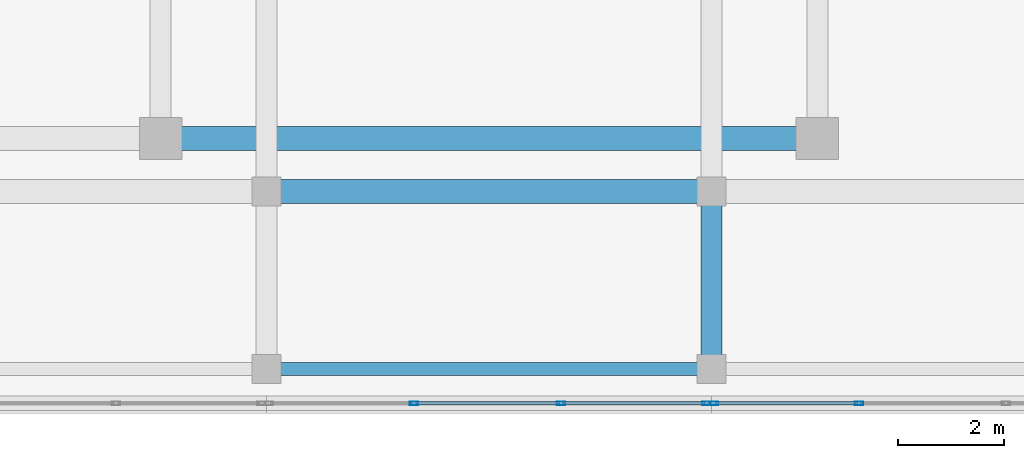
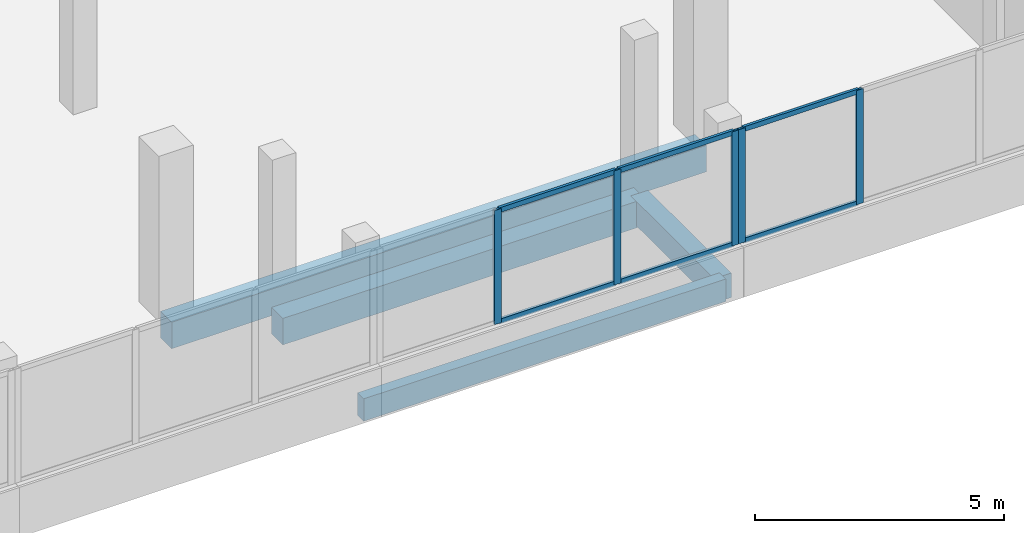
# One storey, part 20 of 67: 11 members, 4 beams, 2 elements without a shape of their own.
"""IFC4 building model written with IfcOpenShell, lengths in metres."""

import ifcopenshell
import ifcopenshell.guid

model = None  # the IFC model being written
_history = None  # IfcOwnerHistory: only IFC2X3 demands one
_inside = {}  # id of a spatial element -> (the spatial element, [elements in it])
_under = {}  # id of a project, library or spatial element -> (it, [spatial elements below it])
_declared = {}  # id of a project -> (the project, [libraries it declares])
_typed = {}  # id of a type object -> (the type object, [elements of that type])
_made_of = {}  # id of a material, layer set ... -> (it, [elements and type objects made of it])


def new_model(schema):
    """Start an empty IFC model of exactly this schema.

    Asked for "IFC4X3", IfcOpenShell would pick the latest addendum, in which some entities
    have other attributes; the version numbers below select the first issue.
    IFC2X3 requires an IfcOwnerHistory on every rooted entity: one is made here for all.
    """
    global model, _history
    if schema == "IFC4X3":
        model = ifcopenshell.file(schema_version=(4, 3, 0, 0))
    else:
        model = ifcopenshell.file(schema=schema)
    _inside.clear()
    _under.clear()
    _declared.clear()
    _typed.clear()
    _made_of.clear()
    _history = None
    if model.schema == "IFC2X3":
        org = make("IfcOrganization", Name="unknown")
        user = make(
            "IfcPersonAndOrganization",
            ThePerson=make("IfcPerson", FamilyName="unknown"),
            TheOrganization=org,
        )
        app = make(
            "IfcApplication",
            ApplicationDeveloper=org,
            Version="unknown",
            ApplicationFullName="unknown",
            ApplicationIdentifier="unknown",
        )
        _history = make(
            "IfcOwnerHistory",
            OwningUser=user,
            OwningApplication=app,
            ChangeAction="ADDED",
            CreationDate=0,
        )
    return model


def make(cls, **values):
    """One entity of the class cls with the attributes given. An attribute that is None is left unset."""
    return model.create_entity(
        cls, **{name: value for name, value in values.items() if value is not None}
    )


def rooted(cls, **values):
    """An entity with a GlobalId (a new one), such as an element, a storey or a relation."""
    return make(cls, GlobalId=ifcopenshell.guid.new(), OwnerHistory=_history, **values)


def si_unit(unit_type, name, prefix=None):
    """IfcSIUnit, for example si_unit("LENGTHUNIT", "METRE", prefix="MILLI")."""
    return make("IfcSIUnit", UnitType=unit_type, Prefix=prefix, Name=name)


def assignment(units):
    """IfcUnitAssignment: the units of a project."""
    return None if units is None else make("IfcUnitAssignment", Units=units)


def point(xyz):
    """IfcCartesianPoint."""
    return None if xyz is None else make("IfcCartesianPoint", Coordinates=xyz)


def direction(xyz):
    """IfcDirection."""
    return None if xyz is None else make("IfcDirection", DirectionRatios=xyz)


def frame(location, z_axis=None, x_axis=None):
    """IfcAxis2Placement3D, a coordinate frame: its origin and axes. An axis left out is left unset."""
    return make(
        "IfcAxis2Placement3D",
        Location=point(location),
        Axis=direction(z_axis),
        RefDirection=direction(x_axis),
    )


def frame_2d(location, x_axis=None):
    """IfcAxis2Placement2D, a coordinate frame in the plane: its origin and x axis."""
    return make(
        "IfcAxis2Placement2D", Location=point(location), RefDirection=direction(x_axis)
    )


def origin():
    """The frame at (0, 0, 0) with its axes left unset."""
    return frame((0.0, 0.0, 0.0))


def origin_2d():
    """The frame at (0, 0) in the plane with its x axis left unset."""
    return frame_2d((0.0, 0.0))


def place(relative_to, where):
    """IfcLocalPlacement: puts the frame where relative to a parent placement (None: the world)."""
    return make(
        "IfcLocalPlacement", PlacementRelTo=relative_to, RelativePlacement=where
    )


def context(
    kind, dimensions, precision=None, world=None, true_north=None, identifier=None
):
    """IfcGeometricRepresentationContext, for example the 3D "Model" context."""
    return make(
        "IfcGeometricRepresentationContext",
        ContextIdentifier=identifier,
        ContextType=kind,
        CoordinateSpaceDimension=dimensions,
        Precision=precision,
        WorldCoordinateSystem=world,
        TrueNorth=true_north,
    )


def subcontext(parent, identifier, kind, view, scale=None):
    """IfcGeometricRepresentationSubContext, for example "Body" below "Model"."""
    return make(
        "IfcGeometricRepresentationSubContext",
        ContextIdentifier=identifier,
        ContextType=kind,
        ParentContext=parent,
        TargetScale=scale,
        TargetView=view,
    )


def project(units=None, contexts=None):
    """IfcProject with its units and contexts."""
    return rooted(
        "IfcProject",
        Name="project",
        RepresentationContexts=contexts,
        UnitsInContext=assignment(units),
    )


def spatial(cls, under=None, at=None, **own):
    """A site, building, storey or space (cls), placed at a placement, below another one or the project."""
    s = rooted(cls, ObjectPlacement=at, **own)
    if under is not None:
        _under.setdefault(under.id(), (under, []))[1].append(s)
    return s


def profile(cls, at=None, kind="AREA", **sizes):
    """A parametric profile (cls). Its sizes go by their IFC names, for example OverallWidth=200.0."""
    return make(cls, ProfileType=kind, Position=at, **sizes)


def rectangle(**sizes):
    """IfcRectangleProfileDef."""
    return profile("IfcRectangleProfileDef", **sizes)


def hollow_rectangle(**sizes):
    """IfcRectangleHollowProfileDef."""
    return profile("IfcRectangleHollowProfileDef", **sizes)


def extrude(swept, where, along, depth):
    """IfcExtrudedAreaSolid: the profile swept, set in the frame where, extruded along a direction by depth."""
    return make(
        "IfcExtrudedAreaSolid",
        SweptArea=swept,
        Position=where,
        ExtrudedDirection=direction(along),
        Depth=depth,
    )


def shape(context_of_items, identifier, shape_type, items):
    """IfcShapeRepresentation: the items that make up one representation, for example the "Body"."""
    return make(
        "IfcShapeRepresentation",
        ContextOfItems=context_of_items,
        RepresentationIdentifier=identifier,
        RepresentationType=shape_type,
        Items=items,
    )


def material(Name=None, Category=None):
    """IfcMaterial."""
    return make("IfcMaterial", Name=Name, Category=Category)


def material_profile(
    of_material, cross_section, Name=None, Category=None, Priority=None
):
    """IfcMaterialProfile: a cross section and its material."""
    return make(
        "IfcMaterialProfile",
        Name=Name,
        Material=of_material,
        Profile=cross_section,
        Priority=Priority,
        Category=Category,
    )


def profile_set(profiles, Name=None, composite=None):
    """IfcMaterialProfileSet."""
    return make(
        "IfcMaterialProfileSet",
        Name=Name,
        MaterialProfiles=profiles,
        CompositeProfile=composite,
    )


def made_of(thing, what):
    """Note that an element or type object is made of a material, layer set ...; save() writes the relation."""
    if what is not None:
        _made_of.setdefault(what.id(), (what, []))[1].append(thing)
    return thing


def type_object(cls, material=None, **own):
    """A type object (cls), such as IfcWallType, which elements share."""
    return made_of(rooted(cls, **own), material)


def element(
    cls,
    number,
    at=None,
    inside=None,
    cuts=None,
    type_object=None,
    material=None,
    context=None,
    identifier="Body",
    shape_type=None,
    held_by="IfcProductDefinitionShape",
    body=None,
    shapes=None,
    **own,
):
    """One element of the class cls, such as IfcWall. Its Tag is "e" and its number.

    at: its placement. inside: the storey or other place that contains it. cuts: it is an
    opening in that element (IfcRelVoidsElement). A single representation is given by context,
    identifier, shape_type and body (its items); several are given by shapes. held_by: the class
    of the entity that holds the representations. save() writes the other relations.
    """
    e = rooted(cls, Tag="e%d" % number, ObjectPlacement=at, **own)
    if body is not None:
        shapes = [shape(context, identifier, shape_type, body)]
    if shapes is not None:
        e.Representation = make(held_by, Representations=shapes)
    if inside is not None:
        _inside.setdefault(inside.id(), (inside, []))[1].append(e)
    if cuts is not None:
        rooted(
            "IfcRelVoidsElement", RelatingBuildingElement=cuts, RelatedOpeningElement=e
        )
    if type_object is not None:
        _typed.setdefault(type_object.id(), (type_object, []))[1].append(e)
    return made_of(e, material)


def aggregate(whole, parts):
    """IfcRelAggregates: a whole, such as a stair, and the parts it consists of."""
    return rooted("IfcRelAggregates", RelatingObject=whole, RelatedObjects=parts)


def save(model, path):
    """Write the relations noted so far, then the file.

    IfcRelAggregates (storeys below a building ...), IfcRelContainedInSpatialStructure (elements
    in a storey), IfcRelDefinesByType, IfcRelAssociatesMaterial and IfcRelDeclares: one each for
    every whole, place, type object, material and project.
    """
    for whole, parts in _under.values():
        aggregate(whole, parts)
    for where, things in _inside.values():
        rooted(
            "IfcRelContainedInSpatialStructure",
            RelatedElements=things,
            RelatingStructure=where,
        )
    for kind, things in _typed.values():
        rooted("IfcRelDefinesByType", RelatedObjects=things, RelatingType=kind)
    for what, things in _made_of.values():
        rooted("IfcRelAssociatesMaterial", RelatedObjects=things, RelatingMaterial=what)
    for by, libraries in _declared.values():
        rooted("IfcRelDeclares", RelatingContext=by, RelatedDefinitions=libraries)
    model.write(path)


model = new_model("IFC4")

# Units and contexts
model_context = context("Model", 3, precision=1e-05, world=origin(), true_north=direction((0.0, 1.0)))
body_context = subcontext(model_context, "Body", "Model", "MODEL_VIEW")
ifc_project = project(units=[si_unit("LENGTHUNIT", "METRE"), si_unit("AREAUNIT", "SQUARE_METRE"), si_unit("VOLUMEUNIT", "CUBIC_METRE"), si_unit("PLANEANGLEUNIT", "RADIAN"), si_unit("MASSUNIT", "GRAM", prefix="KILO")], contexts=[model_context])

# Site, building, storey
site_placement = place(None, origin())
site = spatial("IfcSite", under=ifc_project, at=site_placement, CompositionType="ELEMENT")
building_placement = place(site_placement, origin())
building = spatial("IfcBuilding", under=site, at=building_placement, Name="Selatvlak General Hospital", CompositionType="ELEMENT")
storey_placement = place(building_placement, frame((0.0, 0.0, 35.39990234375)))
storey = spatial("IfcBuildingStorey", under=building, at=storey_placement, Name="L08", CompositionType="ELEMENT", Elevation=35.39990234375)

# Beams
ifc_material_1 = material(Name="Concrete C40/50", Category="concrete")
ifc_material_profile_1 = material_profile(ifc_material_1, rectangle(XDim=0.449951171875, YDim=0.64990234375, at=origin_2d()), Name="RC-BM 450x650")
ifc_profile_set_1 = profile_set([ifc_material_profile_1], Name="Concrete C40/50")
beam_type_1 = type_object("IfcBeamType", Name="BM-G04", PredefinedType="BEAM", material=ifc_profile_set_1)
beam_1_placement = place(storey_placement, frame((73.199951171875, 92.0, -0.58984375), z_axis=(1.0, 0.0, 0.0), x_axis=(0.0, 1.0, 0.0)))
element("IfcBeam", 1, at=beam_1_placement, inside=storey, type_object=beam_type_1, Name="Beam BMR-L08-2574", PredefinedType="BEAM", context=body_context, shape_type="SweptSolid", body=[
    extrude(rectangle(XDim=0.449951171875, YDim=0.64990234375, at=origin_2d()), origin(), (0.0, 0.0, 1.0), 8.400146484375),
])
beam_2_placement = place(storey_placement, frame((71.199951171875, 93.0, -0.58984375), z_axis=(1.0, 0.0, 0.0), x_axis=(0.0, 1.0, 0.0)))
element("IfcBeam", 2, at=beam_2_placement, inside=storey, type_object=beam_type_1, Name="Beam BMR-L08-2587", PredefinedType="BEAM", context=body_context, shape_type="SweptSolid", body=[
    extrude(rectangle(XDim=0.449951171875, YDim=0.64990234375, at=origin_2d()), origin(), (0.0, 0.0, 1.0), 12.400146484375),
])
ifc_material_profile_2 = material_profile(ifc_material_1, rectangle(XDim=0.39990234375, YDim=0.60009765625, at=origin_2d()), Name="RC-BM 400x600")
ifc_profile_set_2 = profile_set([ifc_material_profile_2], Name="Concrete C40/50")
beam_type_2 = type_object("IfcBeamType", Name="BM-G05", PredefinedType="BEAM", material=ifc_profile_set_2)
beam_3_placement = place(storey_placement, frame((81.60009765625, 88.64990234375, -0.56494140625), z_axis=(0.0, 1.0, 0.0), x_axis=(-1.0, 0.0, 0.0)))
element("IfcBeam", 3, at=beam_3_placement, inside=storey, type_object=beam_type_2, Name="Beam BMR-L08-2666", PredefinedType="BEAM", context=body_context, shape_type="SweptSolid", body=[
    extrude(rectangle(XDim=0.39990234375, YDim=0.60009765625, at=origin_2d()), origin(), (0.0, 0.0, 1.0), 3.35009765625),
])
ifc_material_profile_3 = material_profile(ifc_material_1, rectangle(XDim=0.25, YDim=0.550048828125, at=origin_2d()), Name="RC-SP 250x550")
ifc_profile_set_3 = profile_set([ifc_material_profile_3], Name="Concrete C40/50")
beam_type_3 = type_object("IfcBeamType", Name="BM-SP2", PredefinedType="SPANDREL", material=ifc_profile_set_3)
beam_4_placement = place(storey_placement, frame((73.199951171875, 88.64990234375, -0.539794921875), z_axis=(1.0, 0.0, 0.0), x_axis=(0.0, 1.0, 0.0)))
element("IfcBeam", 4, at=beam_4_placement, inside=storey, type_object=beam_type_3, Name="Beam BMR-L08-2557", PredefinedType="SPANDREL", context=body_context, shape_type="SweptSolid", body=[
    extrude(rectangle(XDim=0.25, YDim=0.550048828125, at=origin_2d()), origin(), (0.0, 0.0, 1.0), 8.400146484375),
])

# Curtain wall, members
ifc_material_2 = material(Name="Solar-control Low-E double glazing", Category="glass")
curtain_wall_type_1 = type_object("IfcCurtainWallType", Name="CW-CW-02", PredefinedType="USERDEFINED", material=ifc_material_2)
curtain_wall_1_placement = place(storey_placement, origin())
curtain_wall_1 = element("IfcCurtainWall", 5, at=curtain_wall_1_placement, inside=storey, type_object=curtain_wall_type_1, Name="Glazed facade curtain wall CW-L08-0709", ObjectType="UNITISED CURTAIN WALL", PredefinedType="USERDEFINED")
ifc_material_3 = material(Name="Dark anodised aluminium mullion", Category="aluminium")
ifc_material_profile_4 = material_profile(ifc_material_3, hollow_rectangle(XDim=0.06494140625, YDim=0.159912109375, WallThickness=0.00390625, at=origin_2d()), Name="AL-MUL 65x160x4")
ifc_profile_set_4 = profile_set([ifc_material_profile_4], Name="Dark anodised aluminium mullion")
member_type_1 = type_object("IfcMemberType", Name="CWM-01", PredefinedType="MULLION", material=ifc_profile_set_4)
member_1_placement = place(storey_placement, frame((84.388427734375, 88.0, 0.940185546875), z_axis=(0.0, 0.0, 1.0), x_axis=(0.0, -1.0, 0.0)))
member_1 = element("IfcMember", 6, at=member_1_placement, type_object=member_type_1, Name="CW-02 mullion 3", PredefinedType="MULLION", context=body_context, shape_type="SweptSolid", body=[
    extrude(hollow_rectangle(XDim=0.06494140625, YDim=0.159912109375, WallThickness=0.00390625, at=origin_2d()), origin(), (0.0, 0.0, 1.0), 2.7998046875),
])
member_2_placement = place(storey_placement, frame((81.6474609375, 88.0, 0.940185546875), z_axis=(0.0, 0.0, 1.0), x_axis=(0.0, -1.0, 0.0)))
member_2 = element("IfcMember", 7, at=member_2_placement, type_object=member_type_1, Name="CW-02 mullion 4", PredefinedType="MULLION", context=body_context, shape_type="SweptSolid", body=[
    extrude(hollow_rectangle(XDim=0.06494140625, YDim=0.159912109375, WallThickness=0.00390625, at=origin_2d()), origin(), (0.0, 0.0, 1.0), 2.7998046875),
])

curtain_wall_type_2 = type_object("IfcCurtainWallType", Name="CW-CW-01", PredefinedType="USERDEFINED", material=ifc_material_2)
curtain_wall_2_placement = place(storey_placement, origin())
curtain_wall_2 = element("IfcCurtainWall", 8, at=curtain_wall_2_placement, inside=storey, type_object=curtain_wall_type_2, Name="Glazed facade curtain wall CW-L08-0710", ObjectType="UNITISED CURTAIN WALL", PredefinedType="USERDEFINED")
member_3_placement = place(storey_placement, frame((81.50244140625, 88.0, 0.940185546875), z_axis=(0.0, 0.0, 1.0), x_axis=(0.0, -1.0, 0.0)))
member_3 = element("IfcMember", 9, at=member_3_placement, type_object=member_type_1, Name="CW-01 mullion 1", PredefinedType="MULLION", context=body_context, shape_type="SweptSolid", body=[
    extrude(hollow_rectangle(XDim=0.06494140625, YDim=0.159912109375, WallThickness=0.00390625, at=origin_2d()), origin(), (0.0, 0.0, 1.0), 2.7998046875),
])
member_4_placement = place(storey_placement, frame((78.76171875, 88.0, 0.940185546875), z_axis=(0.0, 0.0, 1.0), x_axis=(0.0, -1.0, 0.0)))
member_4 = element("IfcMember", 10, at=member_4_placement, type_object=member_type_1, Name="CW-01 mullion 2", PredefinedType="MULLION", context=body_context, shape_type="SweptSolid", body=[
    extrude(hollow_rectangle(XDim=0.06494140625, YDim=0.159912109375, WallThickness=0.00390625, at=origin_2d()), origin(), (0.0, 0.0, 1.0), 2.7998046875),
])
member_5_placement = place(storey_placement, frame((75.98828125, 88.0, 0.940185546875), z_axis=(0.0, 0.0, 1.0), x_axis=(0.0, -1.0, 0.0)))
member_5 = element("IfcMember", 11, at=member_5_placement, type_object=member_type_1, Name="CW-01 mullion 3", PredefinedType="MULLION", context=body_context, shape_type="SweptSolid", body=[
    extrude(hollow_rectangle(XDim=0.06494140625, YDim=0.159912109375, WallThickness=0.00390625, at=origin_2d()), origin(), (0.0, 0.0, 1.0), 2.7998046875),
])

# Member
ifc_material_profile_5 = material_profile(ifc_material_3, hollow_rectangle(XDim=0.06494140625, YDim=0.1201171875, WallThickness=0.00390625, at=origin_2d()), Name="AL-TRN 65x120x4")
ifc_profile_set_5 = profile_set([ifc_material_profile_5], Name="Dark anodised aluminium mullion")
member_type_2 = type_object("IfcMemberType", Name="CWT-01", PredefinedType="USERDEFINED", material=ifc_profile_set_5)
member_6_placement = place(storey_placement, frame((84.355712890625, 88.0, 0.97265625), z_axis=(-1.0, 0.0, 0.0), x_axis=(0.0, -1.0, 0.0)))
member_6 = element("IfcMember", 12, at=member_6_placement, type_object=member_type_2, Name="CW-02 transom 3.1", ObjectType="TRANSOM", PredefinedType="USERDEFINED", context=body_context, shape_type="SweptSolid", body=[
    extrude(hollow_rectangle(XDim=0.06494140625, YDim=0.1201171875, WallThickness=0.00390625, at=origin_2d()), origin(), (0.0, 0.0, 1.0), 2.67578125),
])

member_7_placement = place(storey_placement, frame((84.355712890625, 88.0, 3.70751953125), z_axis=(-1.0, 0.0, 0.0), x_axis=(0.0, -1.0, 0.0)))
member_7 = element("IfcMember", 13, at=member_7_placement, type_object=member_type_2, Name="CW-02 transom 3.2", ObjectType="TRANSOM", PredefinedType="USERDEFINED", context=body_context, shape_type="SweptSolid", body=[
    extrude(hollow_rectangle(XDim=0.06494140625, YDim=0.1201171875, WallThickness=0.00390625, at=origin_2d()), origin(), (0.0, 0.0, 1.0), 2.67578125),
])

aggregate(curtain_wall_1, [member_1, member_2, member_6, member_7])

member_8_placement = place(storey_placement, frame((81.469970703125, 88.0, 0.97265625), z_axis=(-1.0, 0.0, 0.0), x_axis=(0.0, -1.0, 0.0)))
member_8 = element("IfcMember", 14, at=member_8_placement, type_object=member_type_2, Name="CW-01 transom 1.1", ObjectType="TRANSOM", PredefinedType="USERDEFINED", context=body_context, shape_type="SweptSolid", body=[
    extrude(hollow_rectangle(XDim=0.06494140625, YDim=0.1201171875, WallThickness=0.00390625, at=origin_2d()), origin(), (0.0, 0.0, 1.0), 2.67578125),
])

member_9_placement = place(storey_placement, frame((81.469970703125, 88.0, 3.70751953125), z_axis=(-1.0, 0.0, 0.0), x_axis=(0.0, -1.0, 0.0)))
member_9 = element("IfcMember", 15, at=member_9_placement, type_object=member_type_2, Name="CW-01 transom 1.2", ObjectType="TRANSOM", PredefinedType="USERDEFINED", context=body_context, shape_type="SweptSolid", body=[
    extrude(hollow_rectangle(XDim=0.06494140625, YDim=0.1201171875, WallThickness=0.00390625, at=origin_2d()), origin(), (0.0, 0.0, 1.0), 2.67578125),
])

member_10_placement = place(storey_placement, frame((78.729248046875, 88.0, 0.97265625), z_axis=(-1.0, 0.0, 0.0), x_axis=(0.0, -1.0, 0.0)))
member_10 = element("IfcMember", 16, at=member_10_placement, type_object=member_type_2, Name="CW-01 transom 2.1", ObjectType="TRANSOM", PredefinedType="USERDEFINED", context=body_context, shape_type="SweptSolid", body=[
    extrude(hollow_rectangle(XDim=0.06494140625, YDim=0.1201171875, WallThickness=0.00390625, at=origin_2d()), origin(), (0.0, 0.0, 1.0), 2.70849609375),
])

member_11_placement = place(storey_placement, frame((78.729248046875, 88.0, 3.70751953125), z_axis=(-1.0, 0.0, 0.0), x_axis=(0.0, -1.0, 0.0)))
member_11 = element("IfcMember", 17, at=member_11_placement, type_object=member_type_2, Name="CW-01 transom 2.2", ObjectType="TRANSOM", PredefinedType="USERDEFINED", context=body_context, shape_type="SweptSolid", body=[
    extrude(hollow_rectangle(XDim=0.06494140625, YDim=0.1201171875, WallThickness=0.00390625, at=origin_2d()), origin(), (0.0, 0.0, 1.0), 2.70849609375),
])

aggregate(curtain_wall_2, [member_3, member_4, member_5, member_8, member_9, member_10, member_11])

save(model, "model.ifc")
